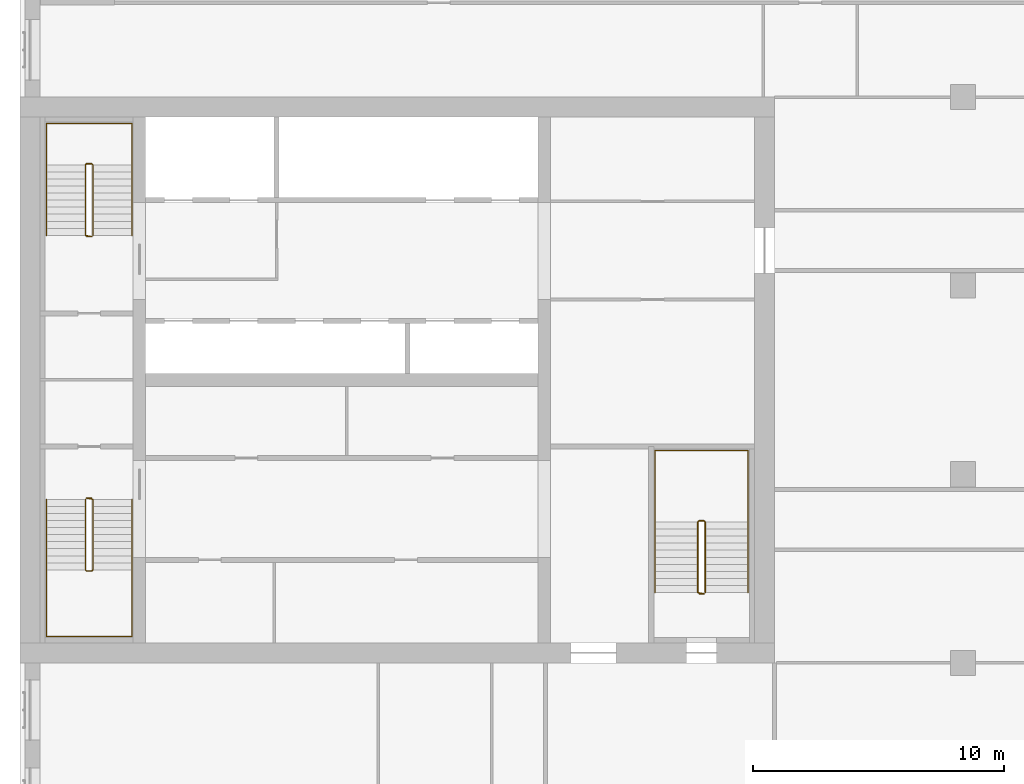
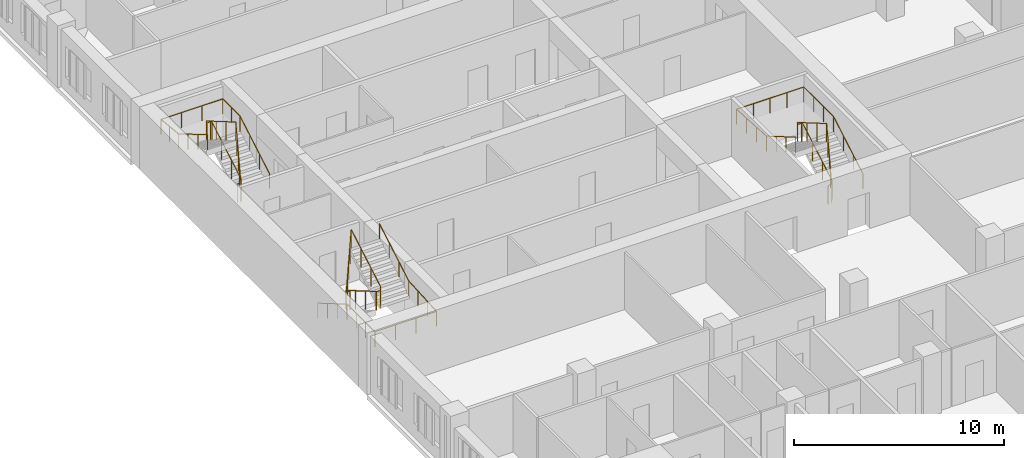
# One storey, part 14 of 14: 6 railings.
"""IFC4 building model written with IfcOpenShell, lengths in metres."""

from ifc_helpers import new_model, si_unit, direction, frame, origin, origin_2d, place, context, subcontext, project, spatial, circle, extrude, material, type_object, element, save


model = new_model("IFC4")

# Units and contexts
model_context = context("Model", 3, precision=1e-05, world=origin(), true_north=direction((0.0, 1.0)))
body_context = subcontext(model_context, "Body", "Model", "MODEL_VIEW")
ifc_project = project(units=[si_unit("LENGTHUNIT", "METRE"), si_unit("AREAUNIT", "SQUARE_METRE"), si_unit("VOLUMEUNIT", "CUBIC_METRE"), si_unit("PLANEANGLEUNIT", "RADIAN"), si_unit("MASSUNIT", "GRAM", prefix="KILO")], contexts=[model_context])

# Site, building, storey
site_placement = place(None, origin())
site = spatial("IfcSite", under=ifc_project, at=site_placement, CompositionType="ELEMENT")
building_placement = place(site_placement, origin())
building = spatial("IfcBuilding", under=site, at=building_placement, Name="Tamorin Gate", CompositionType="ELEMENT")
storey_placement = place(building_placement, frame((0.0, 0.0, 155.39990234375)))
storey = spatial("IfcBuildingStorey", under=building, at=storey_placement, Name="L38", CompositionType="ELEMENT", Elevation=155.39990234375)

# Railings
ifc_material_1 = material(Name="Painted steel balustrade", Category="steel")
railing_type_1 = type_object("IfcRailingType", Name="Stair guard 1100", PredefinedType="GUARDRAIL", material=ifc_material_1)
railing_1_placement = place(storey_placement, frame((32.60009765625, 66.5, 0.163818359375)))
element("IfcRailing", 1, at=railing_1_placement, inside=storey, type_object=railing_type_1, Name="L38 ST1 stair guard 1", PredefinedType="GUARDRAIL", context=body_context, shape_type="SweptSolid", body=[
    extrude(circle(Radius=0.02392578125, at=origin_2d()), frame((0.0, 0.0, 1.076171875), z_axis=(0.0, -0.863393664356, 0.504530851732), x_axis=(1.0, 0.0, 0.0)), (0.0, 0.0, 1.0), 3.2431640625),
    extrude(circle(Radius=0.02392578125, at=origin_2d()), frame((0.0, -2.800048828125, 2.71240234375), z_axis=(0.705375805398, -0.708833529934, 0.0), x_axis=(0.708833529934, 0.705375805398, 0.0)), (0.0, 0.0, 1.0), 0.070556640625),
    extrude(circle(Radius=0.02392578125, at=origin_2d()), frame((0.0498046875, -2.85009765625, 2.71240234375), z_axis=(1.0, 0.0, 0.0), x_axis=(0.0, 1.0, 0.0)), (0.0, 0.0, 1.0), 0.2001953125),
    extrude(circle(Radius=0.02392578125, at=origin_2d()), frame((0.25, -2.85009765625, 2.71240234375), z_axis=(0.279546231943, 0.280916556609, 0.91811752648), x_axis=(-0.708833529934, 0.705375805398, 0.0)), (0.0, 0.0, 1.0), 0.17822265625),
    extrude(circle(Radius=0.02392578125, at=origin_2d()), frame((0.2998046875, -2.800048828125, 2.8759765625), z_axis=(0.0, 0.863360870873, 0.504586966384), x_axis=(-1.0, 0.0, 0.0)), (0.0, 0.0, 1.0), 3.2431640625),
    extrude(circle(Radius=0.02392578125, at=origin_2d()), frame((0.2998046875, 0.0, 4.51220703125), z_axis=(-0.069269067181, 0.013867342551, -0.997501625634), x_axis=(-0.196300278283, -0.98054382908, 0.0)), (0.0, 0.0, 1.0), 3.609130859375),
    extrude(circle(Radius=0.02392578125, at=origin_2d()), frame((0.0498046875, 0.050048828125, 0.912109375), z_axis=(1.0, 0.0, 0.0), x_axis=(0.0, 1.0, 0.0)), (0.0, 0.0, 1.0), 0.2001953125),
    extrude(circle(Radius=0.02099609375, at=origin_2d()), origin(), (0.0, 0.0, 1.0), 1.052001953125),
    extrude(circle(Radius=0.02099609375, at=origin_2d()), frame((0.0, -0.933349609375, 0.54541015625)), (0.0, 0.0, 1.0), 1.052001953125),
    extrude(circle(Radius=0.02099609375, at=origin_2d()), frame((0.0, -1.86669921875, 1.0908203125)), (0.0, 0.0, 1.0), 1.052001953125),
    extrude(circle(Radius=0.02099609375, at=origin_2d()), frame((0.0, -2.800048828125, 1.63623046875)), (0.0, 0.0, 1.0), 1.052001953125),
    extrude(circle(Radius=0.02099609375, at=origin_2d()), frame((0.0498046875, -2.85009765625, 1.63623046875)), (0.0, 0.0, 1.0), 1.052001953125),
    extrude(circle(Radius=0.02099609375, at=origin_2d()), frame((0.25, -2.85009765625, 1.63623046875)), (0.0, 0.0, 1.0), 1.052001953125),
    extrude(circle(Radius=0.02099609375, at=origin_2d()), frame((0.2998046875, -2.800048828125, 1.7998046875)), (0.0, 0.0, 1.0), 1.052001953125),
    extrude(circle(Radius=0.02099609375, at=origin_2d()), frame((0.2998046875, -1.86669921875, 2.34521484375)), (0.0, 0.0, 1.0), 1.052001953125),
    extrude(circle(Radius=0.02099609375, at=origin_2d()), frame((0.2998046875, -0.933349609375, 2.890869140625)), (0.0, 0.0, 1.0), 1.052001953125),
    extrude(circle(Radius=0.02099609375, at=origin_2d()), frame((0.2998046875, 0.0, 3.436279296875)), (0.0, 0.0, 1.0), 1.052001953125),
    extrude(circle(Radius=0.02099609375, at=origin_2d()), frame((0.2373046875, 0.012451171875, 2.5361328125)), (0.0, 0.0, 1.0), 1.052001953125),
    extrude(circle(Radius=0.02099609375, at=origin_2d()), frame((0.1748046875, 0.02490234375, 1.63623046875)), (0.0, 0.0, 1.0), 1.052001953125),
    extrude(circle(Radius=0.02099609375, at=origin_2d()), frame((0.1123046875, 0.03759765625, 0.736328125)), (0.0, 0.0, 1.0), 1.052001953125),
    extrude(circle(Radius=0.02099609375, at=origin_2d()), frame((0.0498046875, 0.050048828125, -0.163818359375)), (0.0, 0.0, 1.0), 1.052001953125),
    extrude(circle(Radius=0.02099609375, at=origin_2d()), frame((0.25, 0.050048828125, -0.163818359375)), (0.0, 0.0, 1.0), 1.052001953125),
])
railing_2_placement = place(storey_placement, frame((32.89990234375, 77.0, 0.163818359375)))
element("IfcRailing", 2, at=railing_2_placement, inside=storey, type_object=railing_type_1, Name="L38 ST2 stair guard 1", PredefinedType="GUARDRAIL", context=body_context, shape_type="SweptSolid", body=[
    extrude(circle(Radius=0.02392578125, at=origin_2d()), frame((0.0, 0.0, 1.076171875), z_axis=(0.0, 0.863393664356, 0.504530851732), x_axis=(-1.0, 0.0, 0.0)), (0.0, 0.0, 1.0), 3.2431640625),
    extrude(circle(Radius=0.02392578125, at=origin_2d()), frame((0.0, 2.800048828125, 2.71240234375), z_axis=(-0.705375805398, 0.708833529934, 0.0), x_axis=(-0.708833529934, -0.705375805398, 0.0)), (0.0, 0.0, 1.0), 0.070556640625),
    extrude(circle(Radius=0.02392578125, at=origin_2d()), frame((-0.0498046875, 2.85009765625, 2.71240234375), z_axis=(-1.0, 0.0, 0.0), x_axis=(0.0, -1.0, 0.0)), (0.0, 0.0, 1.0), 0.2001953125),
    extrude(circle(Radius=0.02392578125, at=origin_2d()), frame((-0.25, 2.85009765625, 2.71240234375), z_axis=(-0.279546231943, -0.280916556609, 0.91811752648), x_axis=(0.708833529934, -0.705375805398, 0.0)), (0.0, 0.0, 1.0), 0.17822265625),
    extrude(circle(Radius=0.02392578125, at=origin_2d()), frame((-0.2998046875, 2.800048828125, 2.8759765625), z_axis=(0.0, -0.863360870873, 0.504586966384), x_axis=(1.0, 0.0, 0.0)), (0.0, 0.0, 1.0), 3.2431640625),
    extrude(circle(Radius=0.02392578125, at=origin_2d()), frame((-0.2998046875, 0.0, 4.51220703125), z_axis=(0.069269067181, -0.013867342551, -0.997501625634), x_axis=(0.196300278283, 0.98054382908, 0.0)), (0.0, 0.0, 1.0), 3.609130859375),
    extrude(circle(Radius=0.02392578125, at=origin_2d()), frame((-0.0498046875, -0.050048828125, 0.912109375), z_axis=(-1.0, 0.0, 0.0), x_axis=(0.0, -1.0, 0.0)), (0.0, 0.0, 1.0), 0.2001953125),
    extrude(circle(Radius=0.02099609375, at=origin_2d()), origin(), (0.0, 0.0, 1.0), 1.052001953125),
    extrude(circle(Radius=0.02099609375, at=origin_2d()), frame((0.0, 0.933349609375, 0.54541015625)), (0.0, 0.0, 1.0), 1.052001953125),
    extrude(circle(Radius=0.02099609375, at=origin_2d()), frame((0.0, 1.86669921875, 1.0908203125)), (0.0, 0.0, 1.0), 1.052001953125),
    extrude(circle(Radius=0.02099609375, at=origin_2d()), frame((0.0, 2.800048828125, 1.63623046875)), (0.0, 0.0, 1.0), 1.052001953125),
    extrude(circle(Radius=0.02099609375, at=origin_2d()), frame((-0.0498046875, 2.85009765625, 1.63623046875)), (0.0, 0.0, 1.0), 1.052001953125),
    extrude(circle(Radius=0.02099609375, at=origin_2d()), frame((-0.25, 2.85009765625, 1.63623046875)), (0.0, 0.0, 1.0), 1.052001953125),
    extrude(circle(Radius=0.02099609375, at=origin_2d()), frame((-0.2998046875, 2.800048828125, 1.7998046875)), (0.0, 0.0, 1.0), 1.052001953125),
    extrude(circle(Radius=0.02099609375, at=origin_2d()), frame((-0.2998046875, 1.86669921875, 2.34521484375)), (0.0, 0.0, 1.0), 1.052001953125),
    extrude(circle(Radius=0.02099609375, at=origin_2d()), frame((-0.2998046875, 0.933349609375, 2.890869140625)), (0.0, 0.0, 1.0), 1.052001953125),
    extrude(circle(Radius=0.02099609375, at=origin_2d()), frame((-0.2998046875, 0.0, 3.436279296875)), (0.0, 0.0, 1.0), 1.052001953125),
    extrude(circle(Radius=0.02099609375, at=origin_2d()), frame((-0.2373046875, -0.012451171875, 2.5361328125)), (0.0, 0.0, 1.0), 1.052001953125),
    extrude(circle(Radius=0.02099609375, at=origin_2d()), frame((-0.1748046875, -0.02490234375, 1.63623046875)), (0.0, 0.0, 1.0), 1.052001953125),
    extrude(circle(Radius=0.02099609375, at=origin_2d()), frame((-0.1123046875, -0.03759765625, 0.736328125)), (0.0, 0.0, 1.0), 1.052001953125),
    extrude(circle(Radius=0.02099609375, at=origin_2d()), frame((-0.0498046875, -0.050048828125, -0.163818359375)), (0.0, 0.0, 1.0), 1.052001953125),
    extrude(circle(Radius=0.02099609375, at=origin_2d()), frame((-0.25, -0.050048828125, -0.163818359375)), (0.0, 0.0, 1.0), 1.052001953125),
])
railing_3_placement = place(storey_placement, frame((57.25, 62.800048828125, 0.163818359375)))
element("IfcRailing", 3, at=railing_3_placement, inside=storey, type_object=railing_type_1, Name="L38 ST3 stair guard 1", PredefinedType="GUARDRAIL", context=body_context, shape_type="SweptSolid", body=[
    extrude(circle(Radius=0.02392578125, at=origin_2d()), frame((0.0, 0.0, 1.076171875), z_axis=(0.0, 0.863393664356, 0.504530851732), x_axis=(-1.0, 0.0, 0.0)), (0.0, 0.0, 1.0), 3.2431640625),
    extrude(circle(Radius=0.02392578125, at=origin_2d()), frame((0.0, 2.800048828125, 2.71240234375), z_axis=(-0.708833529934, 0.705375805398, 0.0), x_axis=(-0.705375805398, -0.708833529934, 0.0)), (0.0, 0.0, 1.0), 0.070556640625),
    extrude(circle(Radius=0.02392578125, at=origin_2d()), frame((-0.050048828125, 2.849853515625, 2.71240234375), z_axis=(-1.0, 0.0, 0.0), x_axis=(0.0, -1.0, 0.0)), (0.0, 0.0, 1.0), 0.199951171875),
    extrude(circle(Radius=0.02392578125, at=origin_2d()), frame((-0.25, 2.849853515625, 2.71240234375), z_axis=(-0.280916556609, -0.279546231943, 0.91811752648), x_axis=(0.705375805398, -0.708833529934, 0.0)), (0.0, 0.0, 1.0), 0.17822265625),
    extrude(circle(Radius=0.02392578125, at=origin_2d()), frame((-0.300048828125, 2.800048828125, 2.8759765625), z_axis=(0.0, -0.863360870873, 0.504586966384), x_axis=(1.0, 0.0, 0.0)), (0.0, 0.0, 1.0), 3.2431640625),
    extrude(circle(Radius=0.02392578125, at=origin_2d()), frame((-0.300048828125, 0.0, 4.51220703125), z_axis=(0.069269067181, -0.013867342551, -0.997501625634), x_axis=(0.196300278283, 0.98054382908, 0.0)), (0.0, 0.0, 1.0), 3.609130859375),
    extrude(circle(Radius=0.02392578125, at=origin_2d()), frame((-0.050048828125, -0.050048828125, 0.912109375), z_axis=(-1.0, 0.0, 0.0), x_axis=(0.0, -1.0, 0.0)), (0.0, 0.0, 1.0), 0.199951171875),
    extrude(circle(Radius=0.02099609375, at=origin_2d()), origin(), (0.0, 0.0, 1.0), 1.052001953125),
    extrude(circle(Radius=0.02099609375, at=origin_2d()), frame((0.0, 0.933349609375, 0.54541015625)), (0.0, 0.0, 1.0), 1.052001953125),
    extrude(circle(Radius=0.02099609375, at=origin_2d()), frame((0.0, 1.86669921875, 1.0908203125)), (0.0, 0.0, 1.0), 1.052001953125),
    extrude(circle(Radius=0.02099609375, at=origin_2d()), frame((0.0, 2.800048828125, 1.63623046875)), (0.0, 0.0, 1.0), 1.052001953125),
    extrude(circle(Radius=0.02099609375, at=origin_2d()), frame((-0.050048828125, 2.849853515625, 1.63623046875)), (0.0, 0.0, 1.0), 1.052001953125),
    extrude(circle(Radius=0.02099609375, at=origin_2d()), frame((-0.25, 2.849853515625, 1.63623046875)), (0.0, 0.0, 1.0), 1.052001953125),
    extrude(circle(Radius=0.02099609375, at=origin_2d()), frame((-0.300048828125, 2.800048828125, 1.7998046875)), (0.0, 0.0, 1.0), 1.052001953125),
    extrude(circle(Radius=0.02099609375, at=origin_2d()), frame((-0.300048828125, 1.86669921875, 2.34521484375)), (0.0, 0.0, 1.0), 1.052001953125),
    extrude(circle(Radius=0.02099609375, at=origin_2d()), frame((-0.300048828125, 0.933349609375, 2.890869140625)), (0.0, 0.0, 1.0), 1.052001953125),
    extrude(circle(Radius=0.02099609375, at=origin_2d()), frame((-0.300048828125, 0.0, 3.436279296875)), (0.0, 0.0, 1.0), 1.052001953125),
    extrude(circle(Radius=0.02099609375, at=origin_2d()), frame((-0.237548828125, -0.012451171875, 2.5361328125)), (0.0, 0.0, 1.0), 1.052001953125),
    extrude(circle(Radius=0.02099609375, at=origin_2d()), frame((-0.175048828125, -0.02490234375, 1.63623046875)), (0.0, 0.0, 1.0), 1.052001953125),
    extrude(circle(Radius=0.02099609375, at=origin_2d()), frame((-0.112548828125, -0.03759765625, 0.736328125)), (0.0, 0.0, 1.0), 1.052001953125),
    extrude(circle(Radius=0.02099609375, at=origin_2d()), frame((-0.050048828125, -0.050048828125, -0.163818359375)), (0.0, 0.0, 1.0), 1.052001953125),
    extrude(circle(Radius=0.02099609375, at=origin_2d()), frame((-0.25, -0.050048828125, -0.163818359375)), (0.0, 0.0, 1.0), 1.052001953125),
])
ifc_material_2 = material(Name="Painted steel handrail", Category="steel")
railing_type_2 = type_object("IfcRailingType", Name="Stair handrail 900", PredefinedType="HANDRAIL", material=ifc_material_2)
railing_4_placement = place(storey_placement, frame((31.050048828125, 66.5, 0.163818359375)))
element("IfcRailing", 4, at=railing_4_placement, inside=storey, type_object=railing_type_2, Name="L38 ST1 stair handrail 1", PredefinedType="HANDRAIL", context=body_context, shape_type="SweptSolid", body=[
    extrude(circle(Radius=0.02392578125, at=origin_2d()), frame((0.0, 0.0, 0.8759765625), z_axis=(0.0, -0.863393664356, 0.504530851732), x_axis=(1.0, 0.0, 0.0)), (0.0, 0.0, 1.0), 3.2431640625),
    extrude(circle(Radius=0.02392578125, at=origin_2d()), frame((0.0, -2.800048828125, 2.51220703125), z_axis=(0.0, -1.0, 0.0), x_axis=(1.0, 0.0, 0.0)), (0.0, 0.0, 1.0), 2.64990234375),
    extrude(circle(Radius=0.02392578125, at=origin_2d()), frame((0.0, -5.449951171875, 2.51220703125), z_axis=(1.0, 0.0, 0.0), x_axis=(0.0, 1.0, 0.0)), (0.0, 0.0, 1.0), 3.39990234375),
    extrude(circle(Radius=0.02392578125, at=origin_2d()), frame((3.39990234375, -5.449951171875, 2.51220703125), z_axis=(0.0, 0.998100230056, 0.061611125312), x_axis=(-1.0, 0.0, 0.0)), (0.0, 0.0, 1.0), 2.655029296875),
    extrude(circle(Radius=0.02392578125, at=origin_2d()), frame((3.39990234375, -2.800048828125, 2.67578125), z_axis=(0.0, 0.863360870873, 0.504586966384), x_axis=(-1.0, 0.0, 0.0)), (0.0, 0.0, 1.0), 3.2431640625),
    extrude(circle(Radius=0.02099609375, at=origin_2d()), origin(), (0.0, 0.0, 1.0), 0.851806640625),
    extrude(circle(Radius=0.02099609375, at=origin_2d()), frame((0.0, -0.933349609375, 0.54541015625)), (0.0, 0.0, 1.0), 0.851806640625),
    extrude(circle(Radius=0.02099609375, at=origin_2d()), frame((0.0, -1.86669921875, 1.0908203125)), (0.0, 0.0, 1.0), 0.851806640625),
    extrude(circle(Radius=0.02099609375, at=origin_2d()), frame((0.0, -2.800048828125, 1.63623046875)), (0.0, 0.0, 1.0), 0.851806640625),
    extrude(circle(Radius=0.02099609375, at=origin_2d()), frame((0.0, -3.683349609375, 1.63623046875)), (0.0, 0.0, 1.0), 0.851806640625),
    extrude(circle(Radius=0.02099609375, at=origin_2d()), frame((0.0, -4.566650390625, 1.63623046875)), (0.0, 0.0, 1.0), 0.851806640625),
    extrude(circle(Radius=0.02099609375, at=origin_2d()), frame((0.0, -5.449951171875, 1.63623046875)), (0.0, 0.0, 1.0), 0.851806640625),
    extrude(circle(Radius=0.02099609375, at=origin_2d()), frame((1.13330078125, -5.449951171875, 1.63623046875)), (0.0, 0.0, 1.0), 0.851806640625),
    extrude(circle(Radius=0.02099609375, at=origin_2d()), frame((2.2666015625, -5.449951171875, 1.63623046875)), (0.0, 0.0, 1.0), 0.851806640625),
    extrude(circle(Radius=0.02099609375, at=origin_2d()), frame((3.39990234375, -5.449951171875, 1.63623046875)), (0.0, 0.0, 1.0), 0.851806640625),
    extrude(circle(Radius=0.02099609375, at=origin_2d()), frame((3.39990234375, -4.566650390625, 1.690673828125)), (0.0, 0.0, 1.0), 0.851806640625),
    extrude(circle(Radius=0.02099609375, at=origin_2d()), frame((3.39990234375, -3.683349609375, 1.745361328125)), (0.0, 0.0, 1.0), 0.851806640625),
    extrude(circle(Radius=0.02099609375, at=origin_2d()), frame((3.39990234375, -2.800048828125, 1.7998046875)), (0.0, 0.0, 1.0), 0.851806640625),
    extrude(circle(Radius=0.02099609375, at=origin_2d()), frame((3.39990234375, -1.86669921875, 2.34521484375)), (0.0, 0.0, 1.0), 0.851806640625),
    extrude(circle(Radius=0.02099609375, at=origin_2d()), frame((3.39990234375, -0.933349609375, 2.890869140625)), (0.0, 0.0, 1.0), 0.851806640625),
    extrude(circle(Radius=0.02099609375, at=origin_2d()), frame((3.39990234375, 0.0, 3.436279296875)), (0.0, 0.0, 1.0), 0.851806640625),
])
railing_5_placement = place(storey_placement, frame((34.449951171875, 77.0, 0.163818359375)))
element("IfcRailing", 5, at=railing_5_placement, inside=storey, type_object=railing_type_2, Name="L38 ST2 stair handrail 1", PredefinedType="HANDRAIL", context=body_context, shape_type="SweptSolid", body=[
    extrude(circle(Radius=0.02392578125, at=origin_2d()), frame((0.0, 0.0, 0.8759765625), z_axis=(0.0, 0.863393664356, 0.504530851732), x_axis=(-1.0, 0.0, 0.0)), (0.0, 0.0, 1.0), 3.2431640625),
    extrude(circle(Radius=0.02392578125, at=origin_2d()), frame((0.0, 2.800048828125, 2.51220703125), z_axis=(0.0, 1.0, 0.0), x_axis=(-1.0, 0.0, 0.0)), (0.0, 0.0, 1.0), 1.64990234375),
    extrude(circle(Radius=0.02392578125, at=origin_2d()), frame((0.0, 4.449951171875, 2.51220703125), z_axis=(-1.0, 0.0, 0.0), x_axis=(0.0, -1.0, 0.0)), (0.0, 0.0, 1.0), 3.39990234375),
    extrude(circle(Radius=0.02392578125, at=origin_2d()), frame((-3.39990234375, 4.449951171875, 2.51220703125), z_axis=(0.0, -0.995121390814, 0.098658084026), x_axis=(1.0, 0.0, 0.0)), (0.0, 0.0, 1.0), 1.657958984375),
    extrude(circle(Radius=0.02392578125, at=origin_2d()), frame((-3.39990234375, 2.800048828125, 2.67578125), z_axis=(0.0, -0.863360870873, 0.504586966384), x_axis=(1.0, 0.0, 0.0)), (0.0, 0.0, 1.0), 3.2431640625),
    extrude(circle(Radius=0.02099609375, at=origin_2d()), origin(), (0.0, 0.0, 1.0), 0.851806640625),
    extrude(circle(Radius=0.02099609375, at=origin_2d()), frame((0.0, 0.933349609375, 0.54541015625)), (0.0, 0.0, 1.0), 0.851806640625),
    extrude(circle(Radius=0.02099609375, at=origin_2d()), frame((0.0, 1.86669921875, 1.0908203125)), (0.0, 0.0, 1.0), 0.851806640625),
    extrude(circle(Radius=0.02099609375, at=origin_2d()), frame((0.0, 2.800048828125, 1.63623046875)), (0.0, 0.0, 1.0), 0.851806640625),
    extrude(circle(Radius=0.02099609375, at=origin_2d()), frame((0.0, 3.625, 1.63623046875)), (0.0, 0.0, 1.0), 0.851806640625),
    extrude(circle(Radius=0.02099609375, at=origin_2d()), frame((0.0, 4.449951171875, 1.63623046875)), (0.0, 0.0, 1.0), 0.851806640625),
    extrude(circle(Radius=0.02099609375, at=origin_2d()), frame((-1.13330078125, 4.449951171875, 1.63623046875)), (0.0, 0.0, 1.0), 0.851806640625),
    extrude(circle(Radius=0.02099609375, at=origin_2d()), frame((-2.2666015625, 4.449951171875, 1.63623046875)), (0.0, 0.0, 1.0), 0.851806640625),
    extrude(circle(Radius=0.02099609375, at=origin_2d()), frame((-3.39990234375, 4.449951171875, 1.63623046875)), (0.0, 0.0, 1.0), 0.851806640625),
    extrude(circle(Radius=0.02099609375, at=origin_2d()), frame((-3.39990234375, 3.625, 1.718017578125)), (0.0, 0.0, 1.0), 0.851806640625),
    extrude(circle(Radius=0.02099609375, at=origin_2d()), frame((-3.39990234375, 2.800048828125, 1.7998046875)), (0.0, 0.0, 1.0), 0.851806640625),
    extrude(circle(Radius=0.02099609375, at=origin_2d()), frame((-3.39990234375, 1.86669921875, 2.34521484375)), (0.0, 0.0, 1.0), 0.851806640625),
    extrude(circle(Radius=0.02099609375, at=origin_2d()), frame((-3.39990234375, 0.933349609375, 2.890869140625)), (0.0, 0.0, 1.0), 0.851806640625),
    extrude(circle(Radius=0.02099609375, at=origin_2d()), frame((-3.39990234375, 0.0, 3.436279296875)), (0.0, 0.0, 1.0), 0.851806640625),
])
railing_6_placement = place(storey_placement, frame((58.949951171875, 62.800048828125, 0.163818359375)))
element("IfcRailing", 6, at=railing_6_placement, inside=storey, type_object=railing_type_2, Name="L38 ST3 stair handrail 1", PredefinedType="HANDRAIL", context=body_context, shape_type="SweptSolid", body=[
    extrude(circle(Radius=0.02392578125, at=origin_2d()), frame((0.0, 0.0, 0.8759765625), z_axis=(0.0, 0.863393664356, 0.504530851732), x_axis=(-1.0, 0.0, 0.0)), (0.0, 0.0, 1.0), 3.2431640625),
    extrude(circle(Radius=0.02392578125, at=origin_2d()), frame((0.0, 2.800048828125, 2.51220703125), z_axis=(0.0, 1.0, 0.0), x_axis=(-1.0, 0.0, 0.0)), (0.0, 0.0, 1.0), 2.849853515625),
    extrude(circle(Radius=0.02392578125, at=origin_2d()), frame((0.0, 5.64990234375, 2.51220703125), z_axis=(-1.0, 0.0, 0.0), x_axis=(0.0, -1.0, 0.0)), (0.0, 0.0, 1.0), 3.699951171875),
    extrude(circle(Radius=0.02392578125, at=origin_2d()), frame((-3.699951171875, 5.64990234375, 2.51220703125), z_axis=(0.0, -0.998356827416, 0.057303098978), x_axis=(1.0, 0.0, 0.0)), (0.0, 0.0, 1.0), 2.8544921875),
    extrude(circle(Radius=0.02392578125, at=origin_2d()), frame((-3.699951171875, 2.800048828125, 2.67578125), z_axis=(0.0, -0.863360870873, 0.504586966384), x_axis=(1.0, 0.0, 0.0)), (0.0, 0.0, 1.0), 3.2431640625),
    extrude(circle(Radius=0.02099609375, at=origin_2d()), origin(), (0.0, 0.0, 1.0), 0.851806640625),
    extrude(circle(Radius=0.02099609375, at=origin_2d()), frame((0.0, 0.933349609375, 0.54541015625)), (0.0, 0.0, 1.0), 0.851806640625),
    extrude(circle(Radius=0.02099609375, at=origin_2d()), frame((0.0, 1.86669921875, 1.0908203125)), (0.0, 0.0, 1.0), 0.851806640625),
    extrude(circle(Radius=0.02099609375, at=origin_2d()), frame((0.0, 2.800048828125, 1.63623046875)), (0.0, 0.0, 1.0), 0.851806640625),
    extrude(circle(Radius=0.02099609375, at=origin_2d()), frame((0.0, 3.75, 1.63623046875)), (0.0, 0.0, 1.0), 0.851806640625),
    extrude(circle(Radius=0.02099609375, at=origin_2d()), frame((0.0, 4.699951171875, 1.63623046875)), (0.0, 0.0, 1.0), 0.851806640625),
    extrude(circle(Radius=0.02099609375, at=origin_2d()), frame((0.0, 5.64990234375, 1.63623046875)), (0.0, 0.0, 1.0), 0.851806640625),
    extrude(circle(Radius=0.02099609375, at=origin_2d()), frame((-0.925048828125, 5.64990234375, 1.63623046875)), (0.0, 0.0, 1.0), 0.851806640625),
    extrude(circle(Radius=0.02099609375, at=origin_2d()), frame((-1.85009765625, 5.64990234375, 1.63623046875)), (0.0, 0.0, 1.0), 0.851806640625),
    extrude(circle(Radius=0.02099609375, at=origin_2d()), frame((-2.77490234375, 5.64990234375, 1.63623046875)), (0.0, 0.0, 1.0), 0.851806640625),
    extrude(circle(Radius=0.02099609375, at=origin_2d()), frame((-3.699951171875, 5.64990234375, 1.63623046875)), (0.0, 0.0, 1.0), 0.851806640625),
    extrude(circle(Radius=0.02099609375, at=origin_2d()), frame((-3.699951171875, 4.699951171875, 1.690673828125)), (0.0, 0.0, 1.0), 0.851806640625),
    extrude(circle(Radius=0.02099609375, at=origin_2d()), frame((-3.699951171875, 3.75, 1.745361328125)), (0.0, 0.0, 1.0), 0.851806640625),
    extrude(circle(Radius=0.02099609375, at=origin_2d()), frame((-3.699951171875, 2.800048828125, 1.7998046875)), (0.0, 0.0, 1.0), 0.851806640625),
    extrude(circle(Radius=0.02099609375, at=origin_2d()), frame((-3.699951171875, 1.86669921875, 2.34521484375)), (0.0, 0.0, 1.0), 0.851806640625),
    extrude(circle(Radius=0.02099609375, at=origin_2d()), frame((-3.699951171875, 0.933349609375, 2.890869140625)), (0.0, 0.0, 1.0), 0.851806640625),
    extrude(circle(Radius=0.02099609375, at=origin_2d()), frame((-3.699951171875, 0.0, 3.436279296875)), (0.0, 0.0, 1.0), 0.851806640625),
])

save(model, "model.ifc")
